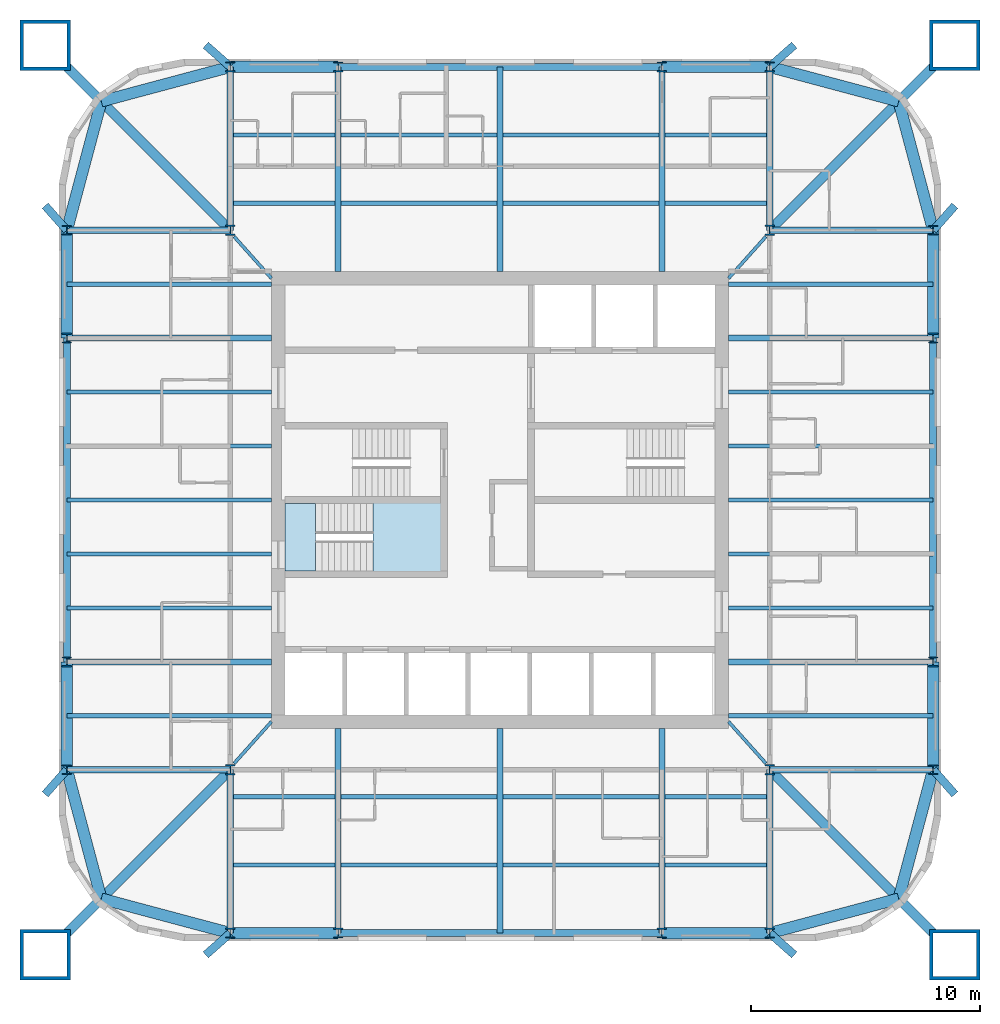
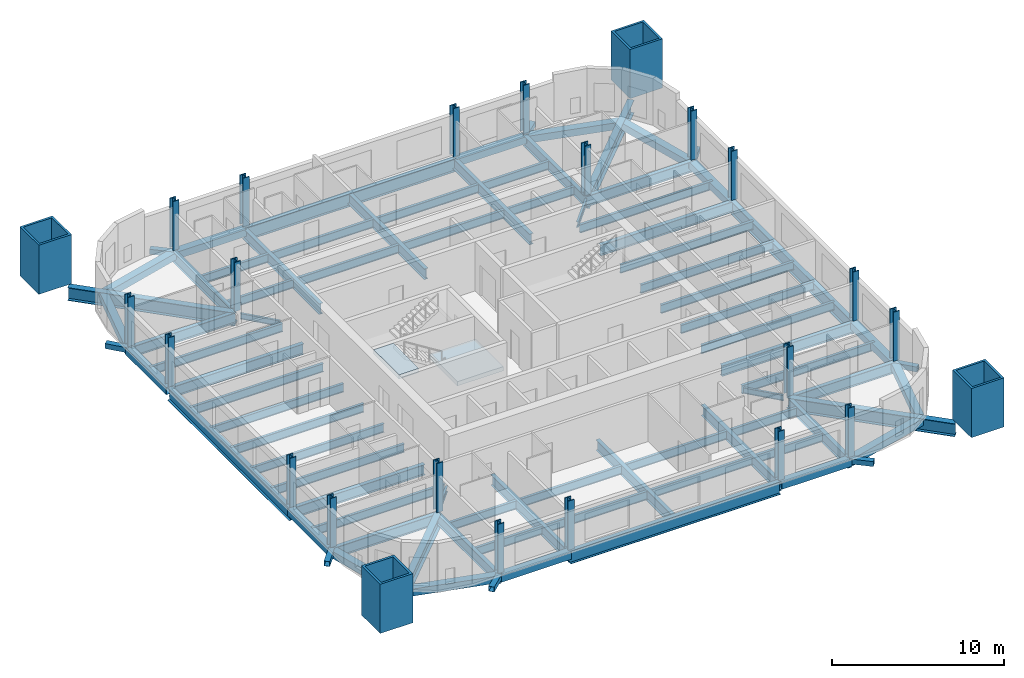
# One storey, part 1 of 9: 84 beams, 24 columns, 2 slabs, 1 element without a shape of its own.
"""IFC4 building model written with IfcOpenShell, lengths in metres."""

from ifc_helpers import new_model, si_unit, direction, frame, origin, origin_2d, place, context, subcontext, project, spatial, polyline, hollow_rectangle, i_section, outline, extrude, material, layer, layer_set, material_profile, profile_set, type_object, element, aggregate, save


model = new_model("IFC4")

# Units and contexts
model_context = context("Model", 3, precision=1e-05, world=origin(), true_north=direction((0.0, 1.0)))
body_context = subcontext(model_context, "Body", "Model", "MODEL_VIEW")
ifc_project = project(units=[si_unit("LENGTHUNIT", "METRE"), si_unit("AREAUNIT", "SQUARE_METRE"), si_unit("VOLUMEUNIT", "CUBIC_METRE"), si_unit("PLANEANGLEUNIT", "RADIAN"), si_unit("MASSUNIT", "GRAM", prefix="KILO")], contexts=[model_context])

# Site, building, storey
site_placement = place(None, origin())
site = spatial("IfcSite", under=ifc_project, at=site_placement, CompositionType="ELEMENT")
building_placement = place(site_placement, origin())
building = spatial("IfcBuilding", under=site, at=building_placement, Name="Turquesa Mirador Hotel Tower", CompositionType="ELEMENT")
storey_placement = place(building_placement, frame((0.0, 0.0, 210.800048828125)))
storey = spatial("IfcBuildingStorey", under=building, at=storey_placement, Name="L57", CompositionType="ELEMENT", Elevation=210.800048828125)

# Columns
ifc_material_1 = material(Name="Steel ASTM A992 Grade 50", Category="steel")
ifc_material_profile_1 = material_profile(ifc_material_1, i_section(OverallWidth=0.411376953125, OverallDepth=0.434326171875, WebThickness=0.035888671875, FlangeThickness=0.057373046875, at=origin_2d()), Name="W14X311")
ifc_profile_set_1 = profile_set([ifc_material_profile_1], Name="Steel ASTM A992 Grade 50")
column_type_1 = type_object("IfcColumnType", Name="COLUMN W14X311", PredefinedType="COLUMN", material=ifc_profile_set_1)
for number, where, z_axis, x_axis, name in (
    (1, (36.050048828125, 33.199951171875, 0.0), (0.0, 0.0, 1.0), (1.0, 0.0, 0.0), "COL-L57-P--18.95--11.80"),
    (2, (36.050048828125, 37.919921875, 0.0), (0.0, 0.0, 1.0), (1.0, 0.0, 0.0), "COL-L57-P--18.95--7.08"),
    (3, (36.050048828125, 52.080078125, 0.0), (0.0, 0.0, 1.0), (1.0, 0.0, 0.0), "COL-L57-P--18.95-+7.08"),
    (4, (36.050048828125, 56.800048828125, 0.0), (0.0, 0.0, 1.0), (1.0, 0.0, 0.0), "COL-L57-P--18.95-+11.80"),
    (5, (43.199951171875, 26.050048828125, 0.0), (0.0, 0.0, 1.0), (1.0, 0.0, 0.0), "COL-L57-P--11.80--18.95"),
    (6, (43.199951171875, 63.949951171875, 0.0), (0.0, 0.0, 1.0), (1.0, 0.0, 0.0), "COL-L57-P--11.80-+18.95"),
    (7, (47.919921875, 26.050048828125, 0.0), (0.0, 0.0, 1.0), (1.0, 0.0, 0.0), "COL-L57-P--7.08--18.95"),
    (8, (47.919921875, 63.949951171875, 0.0), (0.0, 0.0, 1.0), (1.0, 0.0, 0.0), "COL-L57-P--7.08-+18.95"),
    (9, (62.080078125, 26.050048828125, 0.0), (0.0, 0.0, 1.0), (1.0, 0.0, 0.0), "COL-L57-P-+7.08--18.95"),
    (10, (62.080078125, 63.949951171875, 0.0), (0.0, 0.0, 1.0), (1.0, 0.0, 0.0), "COL-L57-P-+7.08-+18.95"),
    (11, (66.800048828125, 26.050048828125, 0.0), (0.0, 0.0, 1.0), (1.0, 0.0, 0.0), "COL-L57-P-+11.80--18.95"),
    (12, (66.800048828125, 63.949951171875, 0.0), (0.0, 0.0, 1.0), (1.0, 0.0, 0.0), "COL-L57-P-+11.80-+18.95"),
    (13, (73.949951171875, 33.199951171875, 0.0), (0.0, 0.0, 1.0), (1.0, 0.0, 0.0), "COL-L57-P-+18.95--11.80"),
    (14, (73.949951171875, 37.919921875, 0.0), (0.0, 0.0, 1.0), (1.0, 0.0, 0.0), "COL-L57-P-+18.95--7.08"),
    (15, (73.949951171875, 52.080078125, 0.0), (0.0, 0.0, 1.0), (1.0, 0.0, 0.0), "COL-L57-P-+18.95-+7.08"),
    (16, (73.949951171875, 56.800048828125, 0.0), (0.0, 0.0, 1.0), (1.0, 0.0, 0.0), "COL-L57-P-+18.95-+11.80"),
):
    element("IfcColumn", number, at=place(storey_placement, frame(where, z_axis=z_axis, x_axis=x_axis)), inside=storey, type_object=column_type_1, Name=name, PredefinedType="COLUMN", context=body_context, shape_type="SweptSolid", body=[
        extrude(i_section(OverallWidth=0.411376953125, OverallDepth=0.434326171875, WebThickness=0.035888671875, FlangeThickness=0.057373046875, at=origin_2d()), origin(), (0.0, 0.0, 1.0), 3.5),
    ])
ifc_material_2 = material(Name="Steel ASTM A992 Grade 50", Category="steel")
ifc_material_profile_2 = material_profile(ifc_material_2, i_section(OverallWidth=0.421630859375, OverallDepth=0.46484375, WebThickness=0.044921875, FlangeThickness=0.072509765625, at=origin_2d()), Name="W14X398")
ifc_profile_set_2 = profile_set([ifc_material_profile_2], Name="Steel ASTM A992 Grade 50")
column_type_2 = type_object("IfcColumnType", Name="COLUMN W14X398", PredefinedType="COLUMN", material=ifc_profile_set_2)
for number, where, z_axis, x_axis, name in (
    (17, (43.199951171875, 33.199951171875, 0.0), (0.0, 0.0, 1.0), (1.0, 0.0, 0.0), "COL-L57-K--11.80--11.80"),
    (18, (43.199951171875, 56.800048828125, 0.0), (0.0, 0.0, 1.0), (1.0, 0.0, 0.0), "COL-L57-K--11.80-+11.80"),
    (19, (66.800048828125, 33.199951171875, 0.0), (0.0, 0.0, 1.0), (1.0, 0.0, 0.0), "COL-L57-K-+11.80--11.80"),
    (20, (66.800048828125, 56.800048828125, 0.0), (0.0, 0.0, 1.0), (1.0, 0.0, 0.0), "COL-L57-K-+11.80-+11.80"),
):
    element("IfcColumn", number, at=place(storey_placement, frame(where, z_axis=z_axis, x_axis=x_axis)), inside=storey, type_object=column_type_2, Name=name, PredefinedType="COLUMN", context=body_context, shape_type="SweptSolid", body=[
        extrude(i_section(OverallWidth=0.421630859375, OverallDepth=0.46484375, WebThickness=0.044921875, FlangeThickness=0.072509765625, at=origin_2d()), origin(), (0.0, 0.0, 1.0), 3.5),
    ])
ifc_material_3 = material(Name="Steel ASTM A514 Grade Q", Category="steel")
ifc_material_profile_3 = material_profile(ifc_material_3, hollow_rectangle(XDim=2.199951171875, YDim=2.199951171875, WallThickness=0.14990234375, at=origin_2d()), Name="BOX2200X2200X150")
ifc_profile_set_3 = profile_set([ifc_material_profile_3], Name="Steel ASTM A514 Grade Q")
column_type_3 = type_object("IfcColumnType", Name="MEGA COLUMN BOX2200X2200X150", PredefinedType="COLUMN", material=ifc_profile_set_3)
for number, where, z_axis, x_axis, name in (
    (21, (74.89990234375, 64.89990234375, 0.0), (0.0, 0.0, 1.0), (1.0, 0.0, 0.0), "Mega column M1"),
    (22, (35.10009765625, 64.89990234375, 0.0), (0.0, 0.0, 1.0), (1.0, 0.0, 0.0), "Mega column M2"),
    (23, (35.10009765625, 25.10009765625, 0.0), (0.0, 0.0, 1.0), (1.0, 0.0, 0.0), "Mega column M3"),
    (24, (74.89990234375, 25.10009765625, 0.0), (0.0, 0.0, 1.0), (1.0, 0.0, 0.0), "Mega column M4"),
):
    element("IfcColumn", number, at=place(storey_placement, frame(where, z_axis=z_axis, x_axis=x_axis)), inside=storey, type_object=column_type_3, Name=name, PredefinedType="COLUMN", context=body_context, shape_type="SweptSolid", body=[
        extrude(hollow_rectangle(XDim=2.199951171875, YDim=2.199951171875, WallThickness=0.14990234375, at=origin_2d()), origin(), (0.0, 0.0, 1.0), 3.5),
    ])

# Beams
ifc_material_4 = material(Name="Steel ASTM A572 Grade 50", Category="steel")
ifc_material_profile_4 = material_profile(ifc_material_4, hollow_rectangle(XDim=0.5, YDim=0.5, WallThickness=0.01611328125, at=origin_2d()), Name="BOX500X500X16")
ifc_profile_set_4 = profile_set([ifc_material_profile_4], Name="Steel ASTM A572 Grade 50")
beam_type_1 = type_object("IfcBeamType", Name="BEAM BOX500X500X16", PredefinedType="BEAM", material=ifc_profile_set_4)
for number, where, z_axis, x_axis, name in (
    (25, (43.199951171875, 63.949951171875, -0.420166015625), (1.0, 0.0, 0.0), (0.0, 1.0, 0.0), "EB-L57-N-L"),
    (26, (62.080078125, 63.949951171875, -0.420166015625), (1.0, 0.0, 0.0), (0.0, 1.0, 0.0), "EB-L57-N-R"),
    (27, (43.199951171875, 26.050048828125, -0.420166015625), (1.0, 0.0, 0.0), (0.0, 1.0, 0.0), "EB-L57-S-L"),
    (28, (62.080078125, 26.050048828125, -0.420166015625), (1.0, 0.0, 0.0), (0.0, 1.0, 0.0), "EB-L57-S-R"),
    (29, (73.949951171875, 33.199951171875, -0.420166015625), (0.0, 1.0, 0.0), (-1.0, 0.0, 0.0), "EB-L57-E-L"),
    (30, (73.949951171875, 52.080078125, -0.420166015625), (0.0, 1.0, 0.0), (-1.0, 0.0, 0.0), "EB-L57-E-R"),
    (31, (36.050048828125, 33.199951171875, -0.420166015625), (0.0, 1.0, 0.0), (-1.0, 0.0, 0.0), "EB-L57-W-L"),
    (32, (36.050048828125, 52.080078125, -0.420166015625), (0.0, 1.0, 0.0), (-1.0, 0.0, 0.0), "EB-L57-W-R"),
):
    element("IfcBeam", number, at=place(storey_placement, frame(where, z_axis=z_axis, x_axis=x_axis)), inside=storey, type_object=beam_type_1, Name=name, PredefinedType="BEAM", context=body_context, shape_type="SweptSolid", body=[
        extrude(hollow_rectangle(XDim=0.5, YDim=0.5, WallThickness=0.01611328125, at=origin_2d()), origin(), (0.0, 0.0, 1.0), 4.719970703125),
    ])
for number, where, z_axis, x_axis, name in (
    (33, (73.949951171875, 56.800048828125, -0.420166015625), (-0.258281892145, 0.966069595935, 0.0), (-0.966069595935, -0.258281892145, 0.0), "KE-L57-1-0"),
    (34, (72.441650390625, 62.441650390625, -0.420166015625), (-0.966069595935, 0.258281892145, 0.0), (-0.258281892145, -0.966069595935, 0.0), "KE-L57-1-1"),
    (35, (36.050048828125, 56.800048828125, -0.420166015625), (0.258281892145, 0.966069595935, 0.0), (-0.966069595935, 0.258281892145, 0.0), "KE-L57-2-0"),
    (36, (37.558349609375, 62.441650390625, -0.420166015625), (0.966069595935, 0.258281892145, 0.0), (-0.258281892145, 0.966069595935, 0.0), "KE-L57-2-1"),
    (37, (36.050048828125, 33.199951171875, -0.420166015625), (0.258281892145, -0.966069595935, 0.0), (0.966069595935, 0.258281892145, 0.0), "KE-L57-3-0"),
    (38, (37.558349609375, 27.558349609375, -0.420166015625), (0.966069595935, -0.258281892145, 0.0), (0.258281892145, 0.966069595935, 0.0), "KE-L57-3-1"),
    (39, (73.949951171875, 33.199951171875, -0.420166015625), (-0.258281892145, -0.966069595935, 0.0), (0.966069595935, -0.258281892145, 0.0), "KE-L57-4-0"),
    (40, (72.441650390625, 27.558349609375, -0.420166015625), (-0.966069595935, -0.258281892145, 0.0), (0.258281892145, -0.966069595935, 0.0), "KE-L57-4-1"),
):
    element("IfcBeam", number, at=place(storey_placement, frame(where, z_axis=z_axis, x_axis=x_axis)), inside=storey, type_object=beam_type_1, Name=name, PredefinedType="BEAM", context=body_context, shape_type="SweptSolid", body=[
        extrude(hollow_rectangle(XDim=0.5, YDim=0.5, WallThickness=0.01611328125, at=origin_2d()), origin(), (0.0, 0.0, 1.0), 5.83984375),
    ])
ifc_material_5 = material(Name="Steel ASTM A992 Grade 50", Category="steel")
ifc_material_profile_5 = material_profile(ifc_material_5, i_section(OverallWidth=0.140380859375, OverallDepth=0.40380859375, WebThickness=0.007080078125, FlangeThickness=0.01123046875, at=origin_2d()), Name="W16X31")
ifc_profile_set_5 = profile_set([ifc_material_profile_5], Name="Steel ASTM A992 Grade 50")
beam_type_2 = type_object("IfcBeamType", Name="BEAM W16X31", PredefinedType="BEAM", material=ifc_profile_set_5)
for number, where, z_axis, x_axis, name in (
    (41, (66.634765625, 56.527099609375, -0.3720703125), (-0.666783216266, -0.745251730964, 0.0), (0.745251730964, -0.666783216266, 0.0), "KT-L57-1"),
    (42, (43.365234375, 56.527099609375, -0.3720703125), (0.666783216266, -0.745251730964, 0.0), (0.745251730964, 0.666783216266, 0.0), "KT-L57-2"),
    (43, (43.365234375, 33.472900390625, -0.3720703125), (0.666783216266, 0.745251730964, 0.0), (-0.745251730964, 0.666783216266, 0.0), "KT-L57-3"),
    (44, (66.634765625, 33.472900390625, -0.3720703125), (-0.666783216266, 0.745251730964, 0.0), (-0.745251730964, -0.666783216266, 0.0), "KT-L57-4"),
):
    element("IfcBeam", number, at=place(storey_placement, frame(where, z_axis=z_axis, x_axis=x_axis)), inside=storey, type_object=beam_type_2, Name=name, PredefinedType="BEAM", context=body_context, shape_type="SweptSolid", body=[
        extrude(i_section(OverallWidth=0.140380859375, OverallDepth=0.40380859375, WebThickness=0.007080078125, FlangeThickness=0.01123046875, at=origin_2d()), origin(), (0.0, 0.0, 1.0), 2.45166015625),
    ])
ifc_material_6 = material(Name="Steel ASTM A992 Grade 50", Category="steel")
ifc_material_profile_6 = material_profile(ifc_material_6, i_section(OverallWidth=0.177978515625, OverallDepth=0.599365234375, WebThickness=0.010009765625, FlangeThickness=0.012939453125, at=origin_2d()), Name="W24X55")
ifc_profile_set_6 = profile_set([ifc_material_profile_6], Name="Steel ASTM A992 Grade 50")
beam_type_3 = type_object("IfcBeamType", Name="BEAM W24X55", PredefinedType="BEAM", material=ifc_profile_set_6)
beam_1_placement = place(storey_placement, frame((43.333251953125, 57.98291015625, -0.4697265625), z_axis=(1.0, 0.0, 0.0), x_axis=(0.0, 1.0, 0.0)))
element("IfcBeam", 45, at=beam_1_placement, inside=storey, type_object=beam_type_3, Name="IB-L57-N-1-0", PredefinedType="BEAM", context=body_context, shape_type="SweptSolid", body=[
    extrude(i_section(OverallWidth=0.177978515625, OverallDepth=0.599365234375, WebThickness=0.010009765625, FlangeThickness=0.012939453125, at=origin_2d()), origin(), (0.0, 0.0, 1.0), 4.453369140625),
])
for number, where, z_axis, x_axis, name in (
    (46, (48.053466796875, 57.98291015625, -0.4697265625), (1.0, 0.0, 0.0), (0.0, 1.0, 0.0), "IB-L57-N-1-1"),
    (47, (55.13330078125, 57.98291015625, -0.4697265625), (1.0, 0.0, 0.0), (0.0, 1.0, 0.0), "IB-L57-N-1-2"),
):
    element("IfcBeam", number, at=place(storey_placement, frame(where, z_axis=z_axis, x_axis=x_axis)), inside=storey, type_object=beam_type_3, Name=name, PredefinedType="BEAM", context=body_context, shape_type="SweptSolid", body=[
        extrude(i_section(OverallWidth=0.177978515625, OverallDepth=0.599365234375, WebThickness=0.010009765625, FlangeThickness=0.012939453125, at=origin_2d()), origin(), (0.0, 0.0, 1.0), 6.813232421875),
    ])
for number, where, z_axis, x_axis, name in (
    (48, (62.21337890625, 57.98291015625, -0.4697265625), (1.0, 0.0, 0.0), (0.0, 1.0, 0.0), "IB-L57-N-1-3"),
    (49, (43.333251953125, 60.967041015625, -0.4697265625), (1.0, 0.0, 0.0), (0.0, 1.0, 0.0), "IB-L57-N-2-0"),
):
    element("IfcBeam", number, at=place(storey_placement, frame(where, z_axis=z_axis, x_axis=x_axis)), inside=storey, type_object=beam_type_3, Name=name, PredefinedType="BEAM", context=body_context, shape_type="SweptSolid", body=[
        extrude(i_section(OverallWidth=0.177978515625, OverallDepth=0.599365234375, WebThickness=0.010009765625, FlangeThickness=0.012939453125, at=origin_2d()), origin(), (0.0, 0.0, 1.0), 4.453369140625),
    ])
for number, where, z_axis, x_axis, name in (
    (50, (48.053466796875, 60.967041015625, -0.4697265625), (1.0, 0.0, 0.0), (0.0, 1.0, 0.0), "IB-L57-N-2-1"),
    (51, (55.13330078125, 60.967041015625, -0.4697265625), (1.0, 0.0, 0.0), (0.0, 1.0, 0.0), "IB-L57-N-2-2"),
):
    element("IfcBeam", number, at=place(storey_placement, frame(where, z_axis=z_axis, x_axis=x_axis)), inside=storey, type_object=beam_type_3, Name=name, PredefinedType="BEAM", context=body_context, shape_type="SweptSolid", body=[
        extrude(i_section(OverallWidth=0.177978515625, OverallDepth=0.599365234375, WebThickness=0.010009765625, FlangeThickness=0.012939453125, at=origin_2d()), origin(), (0.0, 0.0, 1.0), 6.813232421875),
    ])
for number, where, z_axis, x_axis, name in (
    (52, (62.21337890625, 60.967041015625, -0.4697265625), (1.0, 0.0, 0.0), (0.0, 1.0, 0.0), "IB-L57-N-2-3"),
    (53, (43.333251953125, 32.01708984375, -0.4697265625), (1.0, 0.0, 0.0), (0.0, 1.0, 0.0), "IB-L57-S-1-0"),
):
    element("IfcBeam", number, at=place(storey_placement, frame(where, z_axis=z_axis, x_axis=x_axis)), inside=storey, type_object=beam_type_3, Name=name, PredefinedType="BEAM", context=body_context, shape_type="SweptSolid", body=[
        extrude(i_section(OverallWidth=0.177978515625, OverallDepth=0.599365234375, WebThickness=0.010009765625, FlangeThickness=0.012939453125, at=origin_2d()), origin(), (0.0, 0.0, 1.0), 4.453369140625),
    ])
for number, where, z_axis, x_axis, name in (
    (54, (48.053466796875, 32.01708984375, -0.4697265625), (1.0, 0.0, 0.0), (0.0, 1.0, 0.0), "IB-L57-S-1-1"),
    (55, (55.13330078125, 32.01708984375, -0.4697265625), (1.0, 0.0, 0.0), (0.0, 1.0, 0.0), "IB-L57-S-1-2"),
):
    element("IfcBeam", number, at=place(storey_placement, frame(where, z_axis=z_axis, x_axis=x_axis)), inside=storey, type_object=beam_type_3, Name=name, PredefinedType="BEAM", context=body_context, shape_type="SweptSolid", body=[
        extrude(i_section(OverallWidth=0.177978515625, OverallDepth=0.599365234375, WebThickness=0.010009765625, FlangeThickness=0.012939453125, at=origin_2d()), origin(), (0.0, 0.0, 1.0), 6.813232421875),
    ])
for number, where, z_axis, x_axis, name in (
    (56, (62.21337890625, 32.01708984375, -0.4697265625), (1.0, 0.0, 0.0), (0.0, 1.0, 0.0), "IB-L57-S-1-3"),
    (57, (43.333251953125, 29.032958984375, -0.4697265625), (1.0, 0.0, 0.0), (0.0, 1.0, 0.0), "IB-L57-S-2-0"),
):
    element("IfcBeam", number, at=place(storey_placement, frame(where, z_axis=z_axis, x_axis=x_axis)), inside=storey, type_object=beam_type_3, Name=name, PredefinedType="BEAM", context=body_context, shape_type="SweptSolid", body=[
        extrude(i_section(OverallWidth=0.177978515625, OverallDepth=0.599365234375, WebThickness=0.010009765625, FlangeThickness=0.012939453125, at=origin_2d()), origin(), (0.0, 0.0, 1.0), 4.453369140625),
    ])
for number, where, z_axis, x_axis, name in (
    (58, (48.053466796875, 29.032958984375, -0.4697265625), (1.0, 0.0, 0.0), (0.0, 1.0, 0.0), "IB-L57-S-2-1"),
    (59, (55.13330078125, 29.032958984375, -0.4697265625), (1.0, 0.0, 0.0), (0.0, 1.0, 0.0), "IB-L57-S-2-2"),
):
    element("IfcBeam", number, at=place(storey_placement, frame(where, z_axis=z_axis, x_axis=x_axis)), inside=storey, type_object=beam_type_3, Name=name, PredefinedType="BEAM", context=body_context, shape_type="SweptSolid", body=[
        extrude(i_section(OverallWidth=0.177978515625, OverallDepth=0.599365234375, WebThickness=0.010009765625, FlangeThickness=0.012939453125, at=origin_2d()), origin(), (0.0, 0.0, 1.0), 6.813232421875),
    ])
beam_2_placement = place(storey_placement, frame((62.21337890625, 29.032958984375, -0.4697265625), z_axis=(1.0, 0.0, 0.0), x_axis=(0.0, 1.0, 0.0)))
element("IfcBeam", 60, at=beam_2_placement, inside=storey, type_object=beam_type_3, Name="IB-L57-S-2-3", PredefinedType="BEAM", context=body_context, shape_type="SweptSolid", body=[
    extrude(i_section(OverallWidth=0.177978515625, OverallDepth=0.599365234375, WebThickness=0.010009765625, FlangeThickness=0.012939453125, at=origin_2d()), origin(), (0.0, 0.0, 1.0), 4.453369140625),
])
for number, where, z_axis, x_axis, name in (
    (61, (73.949951171875, 35.56005859375, -0.4697265625), (-1.0, 0.0, 0.0), (0.0, -1.0, 0.0), "BM-L57-E--9.44"),
    (62, (73.949951171875, 40.280029296875, -0.4697265625), (-1.0, 0.0, 0.0), (0.0, -1.0, 0.0), "BM-L57-E--4.72"),
    (63, (73.949951171875, 42.639892578125, -0.4697265625), (-1.0, 0.0, 0.0), (0.0, -1.0, 0.0), "BM-L57-E--2.36"),
    (64, (73.949951171875, 45.0, -0.4697265625), (-1.0, 0.0, 0.0), (0.0, -1.0, 0.0), "BM-L57-E-+0.00"),
    (65, (73.949951171875, 47.360107421875, -0.4697265625), (-1.0, 0.0, 0.0), (0.0, -1.0, 0.0), "BM-L57-E-+2.36"),
    (66, (73.949951171875, 49.719970703125, -0.4697265625), (-1.0, 0.0, 0.0), (0.0, -1.0, 0.0), "BM-L57-E-+4.72"),
    (67, (73.949951171875, 54.43994140625, -0.4697265625), (-1.0, 0.0, 0.0), (0.0, -1.0, 0.0), "BM-L57-E-+9.44"),
    (68, (36.050048828125, 35.56005859375, -0.4697265625), (1.0, 0.0, 0.0), (0.0, 1.0, 0.0), "BM-L57-W--9.44"),
    (69, (36.050048828125, 40.280029296875, -0.4697265625), (1.0, 0.0, 0.0), (0.0, 1.0, 0.0), "BM-L57-W--4.72"),
    (70, (36.050048828125, 42.639892578125, -0.4697265625), (1.0, 0.0, 0.0), (0.0, 1.0, 0.0), "BM-L57-W--2.36"),
    (71, (36.050048828125, 45.0, -0.4697265625), (1.0, 0.0, 0.0), (0.0, 1.0, 0.0), "BM-L57-W-+0.00"),
    (72, (36.050048828125, 47.360107421875, -0.4697265625), (1.0, 0.0, 0.0), (0.0, 1.0, 0.0), "BM-L57-W-+2.36"),
    (73, (36.050048828125, 49.719970703125, -0.4697265625), (1.0, 0.0, 0.0), (0.0, 1.0, 0.0), "BM-L57-W-+4.72"),
    (74, (36.050048828125, 54.43994140625, -0.4697265625), (1.0, 0.0, 0.0), (0.0, 1.0, 0.0), "BM-L57-W-+9.44"),
):
    element("IfcBeam", number, at=place(storey_placement, frame(where, z_axis=z_axis, x_axis=x_axis)), inside=storey, type_object=beam_type_3, Name=name, PredefinedType="BEAM", context=body_context, shape_type="SweptSolid", body=[
        extrude(i_section(OverallWidth=0.177978515625, OverallDepth=0.599365234375, WebThickness=0.010009765625, FlangeThickness=0.012939453125, at=origin_2d()), origin(), (0.0, 0.0, 1.0), 8.949951171875),
    ])
ifc_material_7 = material(Name="Steel ASTM A992 Grade 50", Category="steel")
ifc_material_profile_7 = material_profile(ifc_material_7, i_section(OverallWidth=0.2666015625, OverallDepth=0.7568359375, WebThickness=0.013916015625, FlangeThickness=0.019287109375, at=origin_2d()), Name="W30X108")
ifc_profile_set_7 = profile_set([ifc_material_profile_7], Name="Steel ASTM A992 Grade 50")
beam_type_4 = type_object("IfcBeamType", Name="BEAM W30X108", PredefinedType="BEAM", material=ifc_profile_set_7)
for number, where, z_axis, x_axis, name in (
    (75, (47.919921875, 63.949951171875, -0.548583984375), (0.0, -1.0, 0.0), (1.0, 0.0, 0.0), "GD-L57-N--7.08"),
    (76, (62.080078125, 63.949951171875, -0.548583984375), (0.0, -1.0, 0.0), (1.0, 0.0, 0.0), "GD-L57-N-+7.08"),
    (77, (55.0, 63.949951171875, -0.548583984375), (0.0, -1.0, 0.0), (1.0, 0.0, 0.0), "GD-L57-N-+0.00"),
):
    element("IfcBeam", number, at=place(storey_placement, frame(where, z_axis=z_axis, x_axis=x_axis)), inside=storey, type_object=beam_type_4, Name=name, PredefinedType="BEAM", context=body_context, shape_type="SweptSolid", body=[
        extrude(i_section(OverallWidth=0.2666015625, OverallDepth=0.7568359375, WebThickness=0.013916015625, FlangeThickness=0.019287109375, at=origin_2d()), origin(), (0.0, 0.0, 1.0), 8.949951171875),
    ])
for number, where, z_axis, x_axis, name in (
    (78, (43.199951171875, 63.949951171875, -0.548583984375), (0.0, -1.0, 0.0), (1.0, 0.0, 0.0), "GK-L57-N--11.80"),
    (79, (66.800048828125, 63.949951171875, -0.548583984375), (0.0, -1.0, 0.0), (1.0, 0.0, 0.0), "GK-L57-N-+11.80"),
):
    element("IfcBeam", number, at=place(storey_placement, frame(where, z_axis=z_axis, x_axis=x_axis)), inside=storey, type_object=beam_type_4, Name=name, PredefinedType="BEAM", context=body_context, shape_type="SweptSolid", body=[
        extrude(i_section(OverallWidth=0.2666015625, OverallDepth=0.7568359375, WebThickness=0.013916015625, FlangeThickness=0.019287109375, at=origin_2d()), origin(), (0.0, 0.0, 1.0), 7.14990234375),
    ])
for number, where, z_axis, x_axis, name in (
    (80, (47.919921875, 26.050048828125, -0.548583984375), (0.0, 1.0, 0.0), (-1.0, 0.0, 0.0), "GD-L57-S--7.08"),
    (81, (62.080078125, 26.050048828125, -0.548583984375), (0.0, 1.0, 0.0), (-1.0, 0.0, 0.0), "GD-L57-S-+7.08"),
    (82, (55.0, 26.050048828125, -0.548583984375), (0.0, 1.0, 0.0), (-1.0, 0.0, 0.0), "GD-L57-S-+0.00"),
):
    element("IfcBeam", number, at=place(storey_placement, frame(where, z_axis=z_axis, x_axis=x_axis)), inside=storey, type_object=beam_type_4, Name=name, PredefinedType="BEAM", context=body_context, shape_type="SweptSolid", body=[
        extrude(i_section(OverallWidth=0.2666015625, OverallDepth=0.7568359375, WebThickness=0.013916015625, FlangeThickness=0.019287109375, at=origin_2d()), origin(), (0.0, 0.0, 1.0), 8.949951171875),
    ])
for number, where, z_axis, x_axis, name in (
    (83, (43.199951171875, 26.050048828125, -0.548583984375), (0.0, 1.0, 0.0), (-1.0, 0.0, 0.0), "GK-L57-S--11.80"),
    (84, (66.800048828125, 26.050048828125, -0.548583984375), (0.0, 1.0, 0.0), (-1.0, 0.0, 0.0), "GK-L57-S-+11.80"),
):
    element("IfcBeam", number, at=place(storey_placement, frame(where, z_axis=z_axis, x_axis=x_axis)), inside=storey, type_object=beam_type_4, Name=name, PredefinedType="BEAM", context=body_context, shape_type="SweptSolid", body=[
        extrude(i_section(OverallWidth=0.2666015625, OverallDepth=0.7568359375, WebThickness=0.013916015625, FlangeThickness=0.019287109375, at=origin_2d()), origin(), (0.0, 0.0, 1.0), 7.14990234375),
    ])
for number, where, z_axis, x_axis, name in (
    (85, (73.949951171875, 37.919921875, -0.548583984375), (-1.0, 0.0, 0.0), (0.0, -1.0, 0.0), "GD-L57-E--7.08"),
    (86, (73.949951171875, 52.080078125, -0.548583984375), (-1.0, 0.0, 0.0), (0.0, -1.0, 0.0), "GD-L57-E-+7.08"),
):
    element("IfcBeam", number, at=place(storey_placement, frame(where, z_axis=z_axis, x_axis=x_axis)), inside=storey, type_object=beam_type_4, Name=name, PredefinedType="BEAM", context=body_context, shape_type="SweptSolid", body=[
        extrude(i_section(OverallWidth=0.2666015625, OverallDepth=0.7568359375, WebThickness=0.013916015625, FlangeThickness=0.019287109375, at=origin_2d()), origin(), (0.0, 0.0, 1.0), 8.949951171875),
    ])
for number, where, z_axis, x_axis, name in (
    (87, (73.949951171875, 33.199951171875, -0.548583984375), (-1.0, 0.0, 0.0), (0.0, -1.0, 0.0), "GK-L57-E--11.80"),
    (88, (73.949951171875, 56.800048828125, -0.548583984375), (-1.0, 0.0, 0.0), (0.0, -1.0, 0.0), "GK-L57-E-+11.80"),
):
    element("IfcBeam", number, at=place(storey_placement, frame(where, z_axis=z_axis, x_axis=x_axis)), inside=storey, type_object=beam_type_4, Name=name, PredefinedType="BEAM", context=body_context, shape_type="SweptSolid", body=[
        extrude(i_section(OverallWidth=0.2666015625, OverallDepth=0.7568359375, WebThickness=0.013916015625, FlangeThickness=0.019287109375, at=origin_2d()), origin(), (0.0, 0.0, 1.0), 7.14990234375),
    ])
for number, where, z_axis, x_axis, name in (
    (89, (36.050048828125, 37.919921875, -0.548583984375), (1.0, 0.0, 0.0), (0.0, 1.0, 0.0), "GD-L57-W--7.08"),
    (90, (36.050048828125, 52.080078125, -0.548583984375), (1.0, 0.0, 0.0), (0.0, 1.0, 0.0), "GD-L57-W-+7.08"),
):
    element("IfcBeam", number, at=place(storey_placement, frame(where, z_axis=z_axis, x_axis=x_axis)), inside=storey, type_object=beam_type_4, Name=name, PredefinedType="BEAM", context=body_context, shape_type="SweptSolid", body=[
        extrude(i_section(OverallWidth=0.2666015625, OverallDepth=0.7568359375, WebThickness=0.013916015625, FlangeThickness=0.019287109375, at=origin_2d()), origin(), (0.0, 0.0, 1.0), 8.949951171875),
    ])
for number, where, z_axis, x_axis, name in (
    (91, (36.050048828125, 33.199951171875, -0.548583984375), (1.0, 0.0, 0.0), (0.0, 1.0, 0.0), "GK-L57-W--11.80"),
    (92, (36.050048828125, 56.800048828125, -0.548583984375), (1.0, 0.0, 0.0), (0.0, 1.0, 0.0), "GK-L57-W-+11.80"),
):
    element("IfcBeam", number, at=place(storey_placement, frame(where, z_axis=z_axis, x_axis=x_axis)), inside=storey, type_object=beam_type_4, Name=name, PredefinedType="BEAM", context=body_context, shape_type="SweptSolid", body=[
        extrude(i_section(OverallWidth=0.2666015625, OverallDepth=0.7568359375, WebThickness=0.013916015625, FlangeThickness=0.019287109375, at=origin_2d()), origin(), (0.0, 0.0, 1.0), 7.14990234375),
    ])
ifc_material_8 = material(Name="Steel ASTM A992 Grade 50", Category="steel")
ifc_material_profile_8 = material_profile(ifc_material_8, i_section(OverallWidth=0.3046875, OverallDepth=0.911865234375, WebThickness=0.015869140625, FlangeThickness=0.02392578125, at=origin_2d()), Name="W36X150")
ifc_profile_set_8 = profile_set([ifc_material_profile_8], Name="Steel ASTM A992 Grade 50")
beam_type_5 = type_object("IfcBeamType", Name="BEAM W36X150", PredefinedType="BEAM", material=ifc_profile_set_8)
for number, where, z_axis, x_axis, name in (
    (93, (47.919921875, 63.949951171875, -0.6259765625), (1.0, 0.0, 0.0), (0.0, 1.0, 0.0), "EB-L57-N-C"),
    (94, (47.919921875, 26.050048828125, -0.6259765625), (1.0, 0.0, 0.0), (0.0, 1.0, 0.0), "EB-L57-S-C"),
    (95, (73.949951171875, 37.919921875, -0.6259765625), (0.0, 1.0, 0.0), (-1.0, 0.0, 0.0), "EB-L57-E-C"),
    (96, (36.050048828125, 37.919921875, -0.6259765625), (0.0, 1.0, 0.0), (-1.0, 0.0, 0.0), "EB-L57-W-C"),
):
    element("IfcBeam", number, at=place(storey_placement, frame(where, z_axis=z_axis, x_axis=x_axis)), inside=storey, type_object=beam_type_5, Name=name, PredefinedType="BEAM", context=body_context, shape_type="SweptSolid", body=[
        extrude(i_section(OverallWidth=0.3046875, OverallDepth=0.911865234375, WebThickness=0.015869140625, FlangeThickness=0.02392578125, at=origin_2d()), origin(), (0.0, 0.0, 1.0), 14.16015625),
    ])
ifc_material_9 = material(Name="Steel ASTM A992 Grade 50", Category="steel")
ifc_material_profile_9 = material_profile(ifc_material_9, i_section(OverallWidth=0.419189453125, OverallDepth=0.927001953125, WebThickness=0.019287109375, FlangeThickness=0.031982421875, at=origin_2d()), Name="W36X231")
ifc_profile_set_9 = profile_set([ifc_material_profile_9], Name="Steel ASTM A992 Grade 50")
beam_type_6 = type_object("IfcBeamType", Name="BEAM W36X231", PredefinedType="BEAM", material=ifc_profile_set_9)
for number, where, z_axis, x_axis, name in (
    (97, (66.800048828125, 56.800048828125, -0.633544921875), (0.707106781187, 0.707106781187, 0.0), (-0.707106781187, 0.707106781187, 0.0), "KD-L57-1"),
    (98, (43.199951171875, 56.800048828125, -0.633544921875), (-0.707106781187, 0.707106781187, 0.0), (-0.707106781187, -0.707106781187, 0.0), "KD-L57-2"),
    (99, (43.199951171875, 33.199951171875, -0.633544921875), (-0.707106781187, -0.707106781187, 0.0), (0.707106781187, -0.707106781187, 0.0), "KD-L57-3"),
    (100, (66.800048828125, 33.199951171875, -0.633544921875), (0.707106781187, -0.707106781187, 0.0), (0.707106781187, 0.707106781187, 0.0), "KD-L57-4"),
):
    element("IfcBeam", number, at=place(storey_placement, frame(where, z_axis=z_axis, x_axis=x_axis)), inside=storey, type_object=beam_type_6, Name=name, PredefinedType="BEAM", context=body_context, shape_type="SweptSolid", body=[
        extrude(i_section(OverallWidth=0.419189453125, OverallDepth=0.927001953125, WebThickness=0.019287109375, FlangeThickness=0.031982421875, at=origin_2d()), origin(), (0.0, 0.0, 1.0), 10.080322265625),
    ])
ifc_material_10 = material(Name="Steel ASTM A500 Grade C", Category="steel")
ifc_material_profile_10 = material_profile(ifc_material_10, hollow_rectangle(XDim=0.355712890625, YDim=0.355712890625, WallThickness=0.0146484375, at=origin_2d()), Name="HSS14X14X5/8")
ifc_profile_set_10 = profile_set([ifc_material_profile_10], Name="Steel ASTM A500 Grade C")
beam_type_7 = type_object("IfcBeamType", Name="BRACE STRUT HSS14X14X5/8", PredefinedType="BEAM", material=ifc_profile_set_10)
for number, where, z_axis, x_axis, name in (
    (101, (67.87646484375, 64.89990234375, -0.347900390625), (-0.749778299532, -0.661689127575, 0.0), (0.661689127575, -0.749778299532, 0.0), "Brace strut"),
    (102, (42.12353515625, 64.89990234375, -0.347900390625), (0.749778299532, -0.661689127575, 0.0), (0.661689127575, 0.749778299532, 0.0), "Brace strut"),
    (103, (67.87646484375, 25.10009765625, -0.347900390625), (-0.749778299532, 0.661689127575, 0.0), (-0.661689127575, -0.749778299532, 0.0), "Brace strut"),
    (104, (42.12353515625, 25.10009765625, -0.347900390625), (0.749778299532, 0.661689127575, 0.0), (-0.661689127575, 0.749778299532, 0.0), "Brace strut"),
    (105, (74.89990234375, 57.87646484375, -0.347900390625), (-0.661689127575, -0.749778299532, 0.0), (0.749778299532, -0.661689127575, 0.0), "Brace strut"),
    (106, (74.89990234375, 32.12353515625, -0.347900390625), (-0.661689127575, 0.749778299532, 0.0), (-0.749778299532, -0.661689127575, 0.0), "Brace strut"),
    (107, (35.10009765625, 57.87646484375, -0.347900390625), (0.661689127575, -0.749778299532, 0.0), (0.749778299532, 0.661689127575, 0.0), "Brace strut"),
    (108, (35.10009765625, 32.12353515625, -0.347900390625), (0.661689127575, 0.749778299532, 0.0), (-0.749778299532, 0.661689127575, 0.0), "Brace strut"),
):
    element("IfcBeam", number, at=place(storey_placement, frame(where, z_axis=z_axis, x_axis=x_axis)), inside=storey, type_object=beam_type_7, Name=name, PredefinedType="BEAM", context=body_context, shape_type="SweptSolid", body=[
        extrude(hollow_rectangle(XDim=0.355712890625, YDim=0.355712890625, WallThickness=0.0146484375, at=origin_2d()), origin(), (0.0, 0.0, 1.0), 1.435546875),
    ])

# Stair, slabs
ifc_material_11 = material(Name="Concrete C35/45", Category="concrete")
stair_type = type_object("IfcStairType", Name="ESCAPE STAIR CORE", PredefinedType="HALF_TURN_STAIR", material=ifc_material_11)
stair_placement = place(storey_placement, origin())
stair = element("IfcStair", 109, at=stair_placement, inside=storey, type_object=stair_type, Name="Stair ST2 L57 to L58", PredefinedType="HALF_TURN_STAIR")
ifc_material_12 = material(Name="Concrete C35/45", Category="concrete")
ifc_layer = layer(ifc_material_12, 0.300048828125)
ifc_layer_set = layer_set([ifc_layer], Name="STAIR LANDING 300")
slab_type = type_object("IfcSlabType", Name="STAIR LANDING 300", PredefinedType="LANDING", material=ifc_layer_set)
slab_1_placement = place(storey_placement, frame((0.0, 0.0, 1.449951171875)))
slab_1 = element("IfcSlab", 110, at=slab_1_placement, type_object=slab_type, Name="ST2 landing 1", PredefinedType="LANDING", context=body_context, shape_type="SweptSolid", body=[
    extrude(outline(polyline([(52.550048828125, 45.0), (49.449951171875, 45.0), (49.449951171875, 41.75), (52.550048828125, 41.75), (52.550048828125, 45.0)])), origin(), (0.0, 0.0, 1.0), 0.300048828125),
])
slab_2_placement = place(storey_placement, frame((0.0, 0.0, 3.199951171875)))
slab_2 = element("IfcSlab", 111, at=slab_2_placement, type_object=slab_type, Name="ST2 landing 2", PredefinedType="LANDING", context=body_context, shape_type="SweptSolid", body=[
    extrude(outline(polyline([(46.929931640625, 44.85009765625), (45.60009765625, 44.85009765625), (45.60009765625, 41.89990234375), (46.929931640625, 41.89990234375), (46.929931640625, 44.85009765625)])), origin(), (0.0, 0.0, 1.0), 0.300048828125),
])
aggregate(stair, [slab_1, slab_2])

save(model, "model.ifc")
